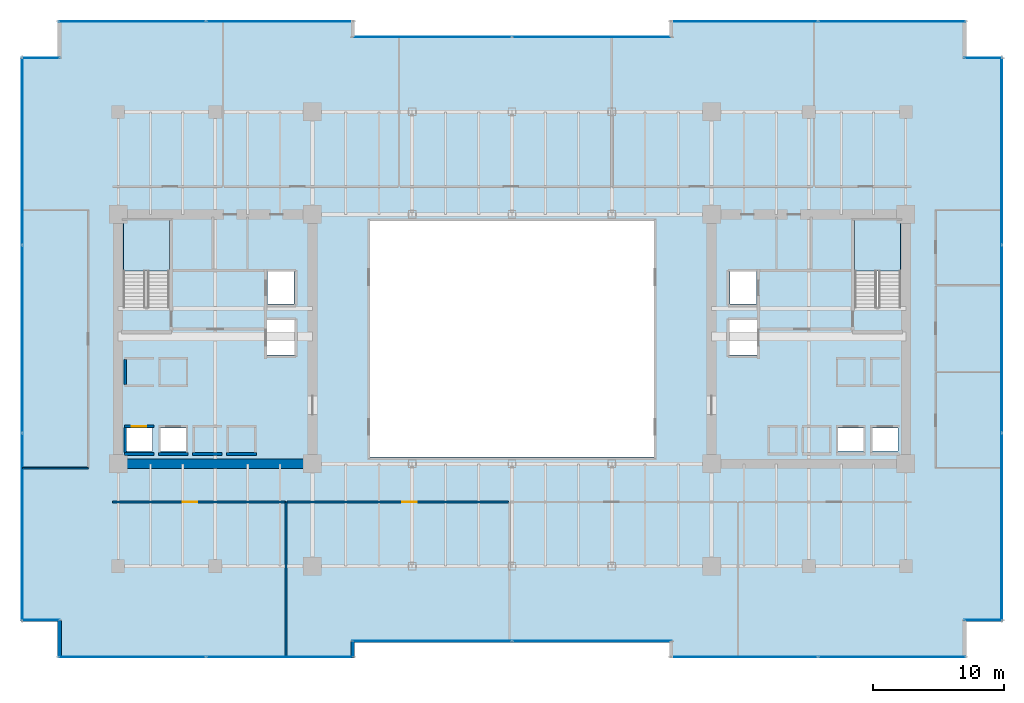
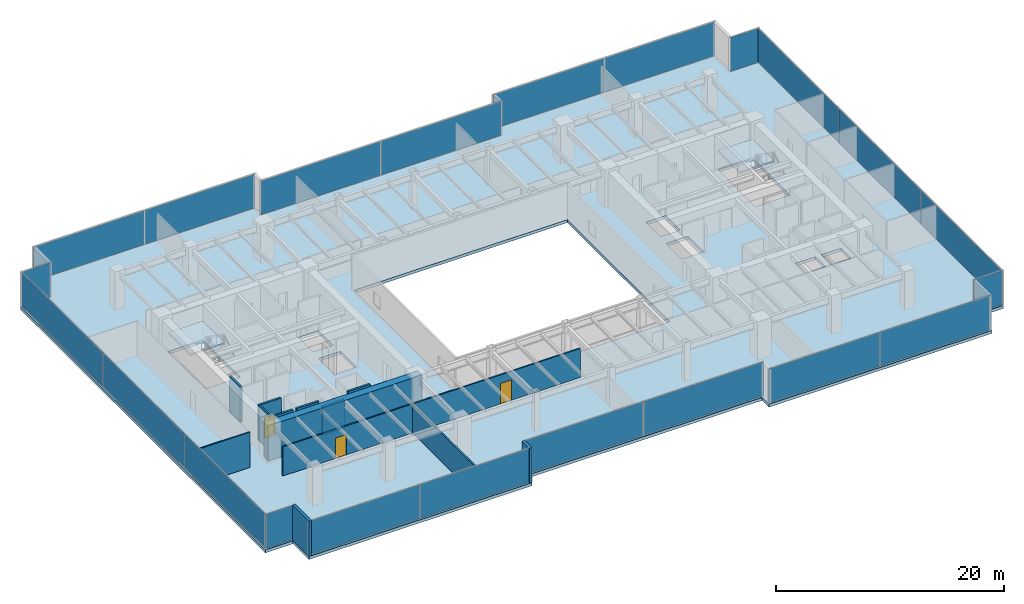
# One storey, part 28 of 35: 22 plates, 14 walls, 3 doors, 3 slabs, 3 openings, 14 elements without a shape of their own.
"""IFC4 building model written with IfcOpenShell, lengths in metres."""

from ifc_helpers import new_model, si_unit, direction, frame, frame_2d, origin, origin_2d, place, context, subcontext, project, spatial, polyline, rectangle, outline, extrude, source, transform, mapped, material, layer, layer_set, type_object, type_shapes, element, fill, aggregate, save


model = new_model("IFC4")

# Units and contexts
model_context = context("Model", 3, precision=1e-05, world=origin(), true_north=direction((0.0, 1.0)))
body_context = subcontext(model_context, "Body", "Model", "MODEL_VIEW")
ifc_project = project(units=[si_unit("LENGTHUNIT", "METRE"), si_unit("AREAUNIT", "SQUARE_METRE"), si_unit("VOLUMEUNIT", "CUBIC_METRE"), si_unit("PLANEANGLEUNIT", "RADIAN"), si_unit("MASSUNIT", "GRAM", prefix="KILO")], contexts=[model_context])

# Site, building, storey
site_placement = place(None, origin())
site = spatial("IfcSite", under=ifc_project, at=site_placement, CompositionType="ELEMENT")
building_placement = place(site_placement, origin())
building = spatial("IfcBuilding", under=site, at=building_placement, Name="Haelvirn Gate Laboratories", CompositionType="ELEMENT")
storey_placement = place(building_placement, frame((0.0, 0.0, 70.300048828125)))
storey = spatial("IfcBuildingStorey", under=building, at=storey_placement, Name="L17", CompositionType="ELEMENT", Elevation=70.300048828125)

# Stair, slab
ifc_material_1 = material(Name="Concrete C40/50", Category="concrete")
stair_type = type_object("IfcStairType", Name="ST-DOG-1650-R22", PredefinedType="HALF_TURN_STAIR", material=ifc_material_1)
stair_1_placement = place(storey_placement, origin())
stair_1 = element("IfcStair", 1, at=stair_1_placement, inside=storey, type_object=stair_type, Name="L17 Escape Stair ST1", PredefinedType="HALF_TURN_STAIR")
ifc_layer_1 = layer(ifc_material_1, 0.199951171875, Name="SL-STAIR-LND")
ifc_layer_set_1 = layer_set([ifc_layer_1], Name="Concrete C40/50")
slab_type_1 = type_object("IfcSlabType", Name="SL-STAIR-LND", PredefinedType="LANDING", material=ifc_layer_set_1)
slab_1_placement = place(storey_placement, frame((0.0, 0.0, 1.849853515625)))
slab_1 = element("IfcSlab", 2, at=slab_1_placement, type_object=slab_type_1, Name="ST1 landing 1", PredefinedType="LANDING", context=body_context, shape_type="SweptSolid", body=[
    extrude(outline(polyline([(11.300048828125, 29.5), (11.300048828125, 33.35009765625), (7.800048828125, 33.35009765625), (7.800048828125, 29.5), (11.300048828125, 29.5)])), origin(), (0.0, 0.0, 1.0), 0.2001953125),
])
aggregate(stair_1, [slab_1])

stair_2_placement = place(storey_placement, origin())
stair_2 = element("IfcStair", 3, at=stair_2_placement, inside=storey, type_object=stair_type, Name="L17 Escape Stair ST2", PredefinedType="HALF_TURN_STAIR")
slab_2_placement = place(storey_placement, frame((0.0, 0.0, 1.849853515625)))
slab_2 = element("IfcSlab", 4, at=slab_2_placement, type_object=slab_type_1, Name="ST2 landing 1", PredefinedType="LANDING", context=body_context, shape_type="SweptSolid", body=[
    extrude(outline(polyline([(67.0, 29.5), (67.0, 33.35009765625), (63.5, 33.35009765625), (63.5, 29.5), (67.0, 29.5)])), origin(), (0.0, 0.0, 1.0), 0.2001953125),
])
aggregate(stair_2, [slab_2])

# Slab
ifc_material_2 = material(Name="Concrete C50/60", Category="concrete")
ifc_layer_2 = layer(ifc_material_2, 0.320068359375, Name="SL-Z1-320")
ifc_layer_set_2 = layer_set([ifc_layer_2], Name="Concrete C50/60")
slab_type_2 = type_object("IfcSlabType", Name="SL-Z1-320", PredefinedType="FLOOR", material=ifc_layer_set_2)
slab_3_placement = place(storey_placement, frame((0.0, 0.0, -0.320068359375)))
element("IfcSlab", 5, at=slab_3_placement, inside=storey, type_object=slab_type_2, Name="L17 Structural Slab MAIN", PredefinedType="FLOOR", context=body_context, shape_type="SweptSolid", body=[
    extrude(outline(polyline([(2.800048828125, 0.0), (25.39990234375, 0.0), (25.39990234375, 1.199951171875), (49.39990234375, 1.199951171875), (49.39990234375, 0.0), (72.0, 0.0), (72.0, 2.800048828125), (74.800048828125, 2.800048828125), (74.800048828125, 45.800048828125), (72.0, 45.800048828125), (72.0, 48.60009765625), (49.39990234375, 48.60009765625), (49.39990234375, 47.39990234375), (25.39990234375, 47.39990234375), (25.39990234375, 48.60009765625), (2.800048828125, 48.60009765625), (2.800048828125, 45.800048828125), (0.0, 45.800048828125), (0.0, 2.800048828125), (2.800048828125, 2.800048828125), (2.800048828125, 0.0)]), holes=[polyline([(26.60009765625, 15.300048828125), (48.199951171875, 15.300048828125), (48.199951171875, 33.300048828125), (26.60009765625, 33.300048828125), (26.60009765625, 15.300048828125)]), polyline([(11.300048828125, 26.780029296875), (11.300048828125, 33.35009765625), (7.800048828125, 33.35009765625), (7.800048828125, 26.780029296875), (11.300048828125, 26.780029296875)]), polyline([(67.0, 26.780029296875), (67.0, 33.35009765625), (63.5, 33.35009765625), (63.5, 26.780029296875), (67.0, 26.780029296875)]), polyline([(7.989990234375, 15.77001953125), (10.010009765625, 15.77001953125), (10.010009765625, 17.510009765625), (7.989990234375, 17.510009765625), (7.989990234375, 15.77001953125)]), polyline([(10.590087890625, 15.77001953125), (12.610107421875, 15.77001953125), (12.610107421875, 17.510009765625), (10.590087890625, 17.510009765625), (10.590087890625, 15.77001953125)]), polyline([(18.7900390625, 26.969970703125), (20.81005859375, 26.969970703125), (20.81005859375, 29.510009765625), (18.7900390625, 29.510009765625), (18.7900390625, 26.969970703125)]), polyline([(18.68994140625, 23.070068359375), (20.909912109375, 23.070068359375), (20.909912109375, 25.81005859375), (18.68994140625, 25.81005859375), (18.68994140625, 23.070068359375)]), polyline([(64.7900390625, 15.77001953125), (66.81005859375, 15.77001953125), (66.81005859375, 17.510009765625), (64.7900390625, 17.510009765625), (64.7900390625, 15.77001953125)]), polyline([(62.18994140625, 15.77001953125), (64.2099609375, 15.77001953125), (64.2099609375, 17.510009765625), (62.18994140625, 17.510009765625), (62.18994140625, 15.77001953125)]), polyline([(53.989990234375, 26.969970703125), (56.010009765625, 26.969970703125), (56.010009765625, 29.510009765625), (53.989990234375, 29.510009765625), (53.989990234375, 26.969970703125)]), polyline([(53.889892578125, 23.070068359375), (56.110107421875, 23.070068359375), (56.110107421875, 25.81005859375), (53.889892578125, 25.81005859375), (53.889892578125, 23.070068359375)])]), origin(), (0.0, 0.0, 1.0), 0.320068359375),
])

# Curtain wall, plates
ifc_material_3 = material(Name="Anodised bronze unitised aluminium & triple low-E glass", Category="aluminium")
ifc_layer_3 = layer(ifc_material_3, 0.18408203125, Name="CW-SYS-2")
ifc_layer_set_3 = layer_set([ifc_layer_3], Name="Anodised bronze unitised aluminium & triple low-E glass")
curtain_wall_type_1 = type_object("IfcCurtainWallType", Name="CW-SYS-2", PredefinedType="NOTDEFINED", material=ifc_layer_set_3)
curtain_wall_1_placement = place(storey_placement, origin())
curtain_wall_1 = element("IfcCurtainWall", 6, at=curtain_wall_1_placement, inside=storey, type_object=curtain_wall_type_1, Name="L17 Unitised Curtain Wall CW-L17-P0-E02-1", PredefinedType="NOTDEFINED")
ifc_material_4 = material(Name="Bronze solar-control triple low-E IGU 44 mm", Category="glass")
ifc_layer_4 = layer(ifc_material_4, 0.0439453125, Name="CWP-IGU-44")
ifc_layer_set_4 = layer_set([ifc_layer_4], Name="Bronze solar-control triple low-E IGU 44 mm")
plate_type_1 = type_object("IfcPlateType", Name="CWP-IGU-44", PredefinedType="CURTAIN_PANEL", material=ifc_layer_set_4)
shared_shape_1 = source(origin(), body_context, "Body", "SweptSolid", [
    extrude(rectangle(XDim=12.12744140625, YDim=0.0439453125, at=origin_2d()), origin(), (0.0, 0.0, 1.0), 3.639892578125),
])
plate_1_placement = place(storey_placement, frame((31.298828125, 1.300048828125, 0.06982421875), z_axis=(0.0, 0.0, 1.0), x_axis=(1.0, 0.0, 0.0)))
plate_1 = element("IfcPlate", 7, at=plate_1_placement, type_object=plate_type_1, Name="CW2 panel 1.1", PredefinedType="CURTAIN_PANEL", context=body_context, shape_type="MappedRepresentation", body=[
    mapped(shared_shape_1, transform((0.0, 0.0, 0.0), scale=1.0)),
])
plate_2_placement = place(storey_placement, frame((43.501220703125, 1.300048828125, 0.06982421875), z_axis=(0.0, 0.0, 1.0), x_axis=(1.0, 0.0, 0.0)))
plate_2 = element("IfcPlate", 8, at=plate_2_placement, type_object=plate_type_1, Name="CW2 panel 2.1", PredefinedType="CURTAIN_PANEL", context=body_context, shape_type="MappedRepresentation", body=[
    mapped(shared_shape_1, transform((0.0, 0.0, 0.0), scale=1.0)),
])
aggregate(curtain_wall_1, [plate_1, plate_2])

curtain_wall_2_placement = place(storey_placement, origin())
curtain_wall_2 = element("IfcCurtainWall", 9, at=curtain_wall_2_placement, inside=storey, type_object=curtain_wall_type_1, Name="L17 Unitised Curtain Wall CW-L17-P0-E12-1", PredefinedType="NOTDEFINED")
plate_3_placement = place(storey_placement, frame((31.298828125, 47.300048828125, 0.06982421875), z_axis=(0.0, 0.0, 1.0), x_axis=(1.0, 0.0, 0.0)))
plate_3 = element("IfcPlate", 10, at=plate_3_placement, type_object=plate_type_1, Name="CW2 panel 1.1", PredefinedType="CURTAIN_PANEL", context=body_context, shape_type="MappedRepresentation", body=[
    mapped(shared_shape_1, transform((0.0, 0.0, 0.0), scale=1.0)),
])
plate_4_placement = place(storey_placement, frame((43.501220703125, 47.300048828125, 0.06982421875), z_axis=(0.0, 0.0, 1.0), x_axis=(1.0, 0.0, 0.0)))
plate_4 = element("IfcPlate", 11, at=plate_4_placement, type_object=plate_type_1, Name="CW2 panel 2.1", PredefinedType="CURTAIN_PANEL", context=body_context, shape_type="MappedRepresentation", body=[
    mapped(shared_shape_1, transform((0.0, 0.0, 0.0), scale=1.0)),
])
aggregate(curtain_wall_2, [plate_3, plate_4])

curtain_wall_3_placement = place(storey_placement, origin())
curtain_wall_3 = element("IfcCurtainWall", 12, at=curtain_wall_3_placement, inside=storey, type_object=curtain_wall_type_1, Name="L17 Unitised Curtain Wall CW-L17-P0-E00-1", PredefinedType="NOTDEFINED")
shared_shape_2 = source(origin(), body_context, "Body", "SweptSolid", [
    extrude(rectangle(XDim=11.1875, YDim=0.0439453125, at=origin_2d()), origin(), (0.0, 0.0, 1.0), 3.639892578125),
])
plate_5_placement = place(storey_placement, frame((8.46875, 0.10009765625, 0.06982421875), z_axis=(0.0, 0.0, 1.0), x_axis=(1.0, 0.0, 0.0)))
plate_5 = element("IfcPlate", 13, at=plate_5_placement, type_object=plate_type_1, Name="CW2 panel 1.1", PredefinedType="CURTAIN_PANEL", context=body_context, shape_type="MappedRepresentation", body=[
    mapped(shared_shape_2, transform((0.0, 0.0, 0.0), scale=1.0)),
])
plate_6_placement = place(storey_placement, frame((19.731201171875, 0.10009765625, 0.06982421875), z_axis=(0.0, 0.0, 1.0), x_axis=(1.0, 0.0, 0.0)))
plate_6 = element("IfcPlate", 14, at=plate_6_placement, type_object=plate_type_1, Name="CW2 panel 2.1", PredefinedType="CURTAIN_PANEL", context=body_context, shape_type="MappedRepresentation", body=[
    mapped(shared_shape_2, transform((0.0, 0.0, 0.0), scale=1.0)),
])
aggregate(curtain_wall_3, [plate_5, plate_6])

curtain_wall_4_placement = place(storey_placement, origin())
curtain_wall_4 = element("IfcCurtainWall", 15, at=curtain_wall_4_placement, inside=storey, type_object=curtain_wall_type_1, Name="L17 Unitised Curtain Wall CW-L17-P0-E04-1", PredefinedType="NOTDEFINED")
plate_7_placement = place(storey_placement, frame((55.06884765625, 0.10009765625, 0.06982421875), z_axis=(0.0, 0.0, 1.0), x_axis=(1.0, 0.0, 0.0)))
plate_7 = element("IfcPlate", 16, at=plate_7_placement, type_object=plate_type_1, Name="CW2 panel 1.1", PredefinedType="CURTAIN_PANEL", context=body_context, shape_type="MappedRepresentation", body=[
    mapped(shared_shape_2, transform((0.0, 0.0, 0.0), scale=1.0)),
])
plate_8_placement = place(storey_placement, frame((66.331298828125, 0.10009765625, 0.06982421875), z_axis=(0.0, 0.0, 1.0), x_axis=(1.0, 0.0, 0.0)))
plate_8 = element("IfcPlate", 17, at=plate_8_placement, type_object=plate_type_1, Name="CW2 panel 2.1", PredefinedType="CURTAIN_PANEL", context=body_context, shape_type="MappedRepresentation", body=[
    mapped(shared_shape_2, transform((0.0, 0.0, 0.0), scale=1.0)),
])
aggregate(curtain_wall_4, [plate_7, plate_8])

curtain_wall_5_placement = place(storey_placement, origin())
curtain_wall_5 = element("IfcCurtainWall", 18, at=curtain_wall_5_placement, inside=storey, type_object=curtain_wall_type_1, Name="L17 Unitised Curtain Wall CW-L17-P0-E10-1", PredefinedType="NOTDEFINED")
plate_9_placement = place(storey_placement, frame((55.06884765625, 48.5, 0.06982421875), z_axis=(0.0, 0.0, 1.0), x_axis=(1.0, 0.0, 0.0)))
plate_9 = element("IfcPlate", 19, at=plate_9_placement, type_object=plate_type_1, Name="CW2 panel 1.1", PredefinedType="CURTAIN_PANEL", context=body_context, shape_type="MappedRepresentation", body=[
    mapped(shared_shape_2, transform((0.0, 0.0, 0.0), scale=1.0)),
])
plate_10_placement = place(storey_placement, frame((66.331298828125, 48.5, 0.06982421875), z_axis=(0.0, 0.0, 1.0), x_axis=(1.0, 0.0, 0.0)))
plate_10 = element("IfcPlate", 20, at=plate_10_placement, type_object=plate_type_1, Name="CW2 panel 2.1", PredefinedType="CURTAIN_PANEL", context=body_context, shape_type="MappedRepresentation", body=[
    mapped(shared_shape_2, transform((0.0, 0.0, 0.0), scale=1.0)),
])
aggregate(curtain_wall_5, [plate_9, plate_10])

curtain_wall_6_placement = place(storey_placement, origin())
curtain_wall_6 = element("IfcCurtainWall", 21, at=curtain_wall_6_placement, inside=storey, type_object=curtain_wall_type_1, Name="L17 Unitised Curtain Wall CW-L17-P0-E14-1", PredefinedType="NOTDEFINED")
plate_11_placement = place(storey_placement, frame((8.46875, 48.5, 0.06982421875), z_axis=(0.0, 0.0, 1.0), x_axis=(1.0, 0.0, 0.0)))
plate_11 = element("IfcPlate", 22, at=plate_11_placement, type_object=plate_type_1, Name="CW2 panel 1.1", PredefinedType="CURTAIN_PANEL", context=body_context, shape_type="MappedRepresentation", body=[
    mapped(shared_shape_2, transform((0.0, 0.0, 0.0), scale=1.0)),
])
plate_12_placement = place(storey_placement, frame((19.731201171875, 48.5, 0.06982421875), z_axis=(0.0, 0.0, 1.0), x_axis=(1.0, 0.0, 0.0)))
plate_12 = element("IfcPlate", 23, at=plate_12_placement, type_object=plate_type_1, Name="CW2 panel 2.1", PredefinedType="CURTAIN_PANEL", context=body_context, shape_type="MappedRepresentation", body=[
    mapped(shared_shape_2, transform((0.0, 0.0, 0.0), scale=1.0)),
])
aggregate(curtain_wall_6, [plate_11, plate_12])

# Curtain wall, plate
ifc_layer_5 = layer(ifc_material_3, 0.181884765625, Name="CW-SYS-5")
ifc_layer_set_5 = layer_set([ifc_layer_5], Name="Anodised bronze unitised aluminium & triple low-E glass")
curtain_wall_type_2 = type_object("IfcCurtainWallType", Name="CW-SYS-5", PredefinedType="NOTDEFINED", material=ifc_layer_set_5)
curtain_wall_7_placement = place(storey_placement, origin())
curtain_wall_7 = element("IfcCurtainWall", 24, at=curtain_wall_7_placement, inside=storey, type_object=curtain_wall_type_2, Name="L17 Unitised Curtain Wall CW-L17-P0-E06-1", PredefinedType="NOTDEFINED")
ifc_material_5 = material(Name="Clear low-iron notched-corner triple IGU 42 mm", Category="glass")
ifc_layer_6 = layer(ifc_material_5, 0.0419921875, Name="CWP-NTC-42")
ifc_layer_set_6 = layer_set([ifc_layer_6], Name="Clear low-iron notched-corner triple IGU 42 mm")
plate_type_2 = type_object("IfcPlateType", Name="CWP-NTC-42", PredefinedType="CURTAIN_PANEL", material=ifc_layer_set_6)
shared_shape_3 = source(origin(), body_context, "Body", "SweptSolid", [
    extrude(rectangle(XDim=2.8798828125, YDim=0.0419921875, at=origin_2d()), origin(), (0.0, 0.0, 1.0), 3.64990234375),
])
type_shapes(plate_type_2, [shared_shape_3])
plate_13_placement = place(storey_placement, frame((73.280029296875, 2.89990234375, 0.06494140625), z_axis=(0.0, 0.0, 1.0), x_axis=(1.0, 0.0, 0.0)))
plate_13 = element("IfcPlate", 25, at=plate_13_placement, type_object=plate_type_2, Name="CW5 panel 1.1", PredefinedType="CURTAIN_PANEL", context=body_context, shape_type="MappedRepresentation", body=[
    mapped(shared_shape_3, transform((0.0, 0.0, 0.0), scale=1.0)),
])
aggregate(curtain_wall_7, [plate_13])

curtain_wall_8_placement = place(storey_placement, origin())
curtain_wall_8 = element("IfcCurtainWall", 26, at=curtain_wall_8_placement, inside=storey, type_object=curtain_wall_type_2, Name="L17 Unitised Curtain Wall CW-L17-P0-E08-1", PredefinedType="NOTDEFINED")
plate_14_placement = place(storey_placement, frame((73.280029296875, 45.699951171875, 0.06494140625), z_axis=(0.0, 0.0, 1.0), x_axis=(1.0, 0.0, 0.0)))
plate_14 = element("IfcPlate", 27, at=plate_14_placement, type_object=plate_type_2, Name="CW5 panel 1.1", PredefinedType="CURTAIN_PANEL", context=body_context, shape_type="MappedRepresentation", body=[
    mapped(shared_shape_3, transform((0.0, 0.0, 0.0), scale=1.0)),
])
aggregate(curtain_wall_8, [plate_14])

curtain_wall_9_placement = place(storey_placement, origin())
curtain_wall_9 = element("IfcCurtainWall", 28, at=curtain_wall_9_placement, inside=storey, type_object=curtain_wall_type_2, Name="L17 Unitised Curtain Wall CW-L17-P0-E16-1", PredefinedType="NOTDEFINED")
plate_15_placement = place(storey_placement, frame((1.52001953125, 45.699951171875, 0.06494140625), z_axis=(0.0, 0.0, 1.0), x_axis=(1.0, 0.0, 0.0)))
plate_15 = element("IfcPlate", 29, at=plate_15_placement, type_object=plate_type_2, Name="CW5 panel 1.1", PredefinedType="CURTAIN_PANEL", context=body_context, shape_type="MappedRepresentation", body=[
    mapped(shared_shape_3, transform((0.0, 0.0, 0.0), scale=1.0)),
])
aggregate(curtain_wall_9, [plate_15])

curtain_wall_10_placement = place(storey_placement, origin())
curtain_wall_10 = element("IfcCurtainWall", 30, at=curtain_wall_10_placement, inside=storey, type_object=curtain_wall_type_2, Name="L17 Unitised Curtain Wall CW-L17-P0-E18-1", PredefinedType="NOTDEFINED")
plate_16_placement = place(storey_placement, frame((1.52001953125, 2.89990234375, 0.06494140625), z_axis=(0.0, 0.0, 1.0), x_axis=(1.0, 0.0, 0.0)))
plate_16 = element("IfcPlate", 31, at=plate_16_placement, type_object=plate_type_2, Name="CW5 panel 1.1", PredefinedType="CURTAIN_PANEL", context=body_context, shape_type="MappedRepresentation", body=[
    mapped(shared_shape_3, transform((0.0, 0.0, 0.0), scale=1.0)),
])
aggregate(curtain_wall_10, [plate_16])

# Curtain wall, plates
curtain_wall_11_placement = place(storey_placement, origin())
curtain_wall_11 = element("IfcCurtainWall", 32, at=curtain_wall_11_placement, inside=storey, type_object=curtain_wall_type_1, Name="L17 Unitised Curtain Wall CW-L17-P0-E07", PredefinedType="NOTDEFINED")
shared_shape_4 = source(origin(), body_context, "Body", "SweptSolid", [
    extrude(rectangle(XDim=14.220947265625, YDim=0.0439453125, at=origin_2d()), origin(), (0.0, 0.0, 1.0), 3.639892578125),
])
plate_17_placement = place(storey_placement, frame((74.699951171875, 9.9853515625, 0.06982421875), z_axis=(0.0, 0.0, 1.0), x_axis=(0.0, 1.0, 0.0)))
plate_17 = element("IfcPlate", 33, at=plate_17_placement, type_object=plate_type_1, Name="CW2 panel 1.1", PredefinedType="CURTAIN_PANEL", context=body_context, shape_type="MappedRepresentation", body=[
    mapped(shared_shape_4, transform((0.0, 0.0, 0.0), scale=1.0)),
])
plate_18_placement = place(storey_placement, frame((74.699951171875, 38.614501953125, 0.06982421875), z_axis=(0.0, 0.0, 1.0), x_axis=(0.0, 1.0, 0.0)))
plate_18 = element("IfcPlate", 34, at=plate_18_placement, type_object=plate_type_1, Name="CW2 panel 3.1", PredefinedType="CURTAIN_PANEL", context=body_context, shape_type="MappedRepresentation", body=[
    mapped(shared_shape_4, transform((0.0, 0.0, 0.0), scale=1.0)),
])

curtain_wall_12_placement = place(storey_placement, origin())
curtain_wall_12 = element("IfcCurtainWall", 35, at=curtain_wall_12_placement, inside=storey, type_object=curtain_wall_type_1, Name="L17 Unitised Curtain Wall CW-L17-P0-E17", PredefinedType="NOTDEFINED")
plate_19_placement = place(storey_placement, frame((0.10009765625, 38.614501953125, 0.06982421875), z_axis=(0.0, 0.0, 1.0), x_axis=(0.0, -1.0, 0.0)))
plate_19 = element("IfcPlate", 36, at=plate_19_placement, type_object=plate_type_1, Name="CW2 panel 1.1", PredefinedType="CURTAIN_PANEL", context=body_context, shape_type="MappedRepresentation", body=[
    mapped(shared_shape_4, transform((0.0, 0.0, 0.0), scale=1.0)),
])
plate_20_placement = place(storey_placement, frame((0.10009765625, 9.9853515625, 0.06982421875), z_axis=(0.0, 0.0, 1.0), x_axis=(0.0, -1.0, 0.0)))
plate_20 = element("IfcPlate", 37, at=plate_20_placement, type_object=plate_type_1, Name="CW2 panel 3.1", PredefinedType="CURTAIN_PANEL", context=body_context, shape_type="MappedRepresentation", body=[
    mapped(shared_shape_4, transform((0.0, 0.0, 0.0), scale=1.0)),
])

# Plate
shared_shape_5 = source(origin(), body_context, "Body", "SweptSolid", [
    extrude(rectangle(XDim=14.25830078125, YDim=0.0439453125, at=origin_2d()), origin(), (0.0, 0.0, 1.0), 3.639892578125),
])
type_shapes(plate_type_1, [shared_shape_1, shared_shape_2, shared_shape_4, shared_shape_5])
plate_21_placement = place(storey_placement, frame((74.699951171875, 24.300048828125, 0.06982421875), z_axis=(0.0, 0.0, 1.0), x_axis=(0.0, 1.0, 0.0)))
plate_21 = element("IfcPlate", 38, at=plate_21_placement, type_object=plate_type_1, Name="CW2 panel 2.1", PredefinedType="CURTAIN_PANEL", context=body_context, shape_type="MappedRepresentation", body=[
    mapped(shared_shape_5, transform((0.0, 0.0, 0.0), scale=1.0)),
])

aggregate(curtain_wall_11, [plate_17, plate_21, plate_18])

plate_22_placement = place(storey_placement, frame((0.10009765625, 24.300048828125, 0.06982421875), z_axis=(0.0, 0.0, 1.0), x_axis=(0.0, -1.0, 0.0)))
plate_22 = element("IfcPlate", 39, at=plate_22_placement, type_object=plate_type_1, Name="CW2 panel 2.1", PredefinedType="CURTAIN_PANEL", context=body_context, shape_type="MappedRepresentation", body=[
    mapped(shared_shape_5, transform((0.0, 0.0, 0.0), scale=1.0)),
])

aggregate(curtain_wall_12, [plate_19, plate_22, plate_20])

# Walls
ifc_material_6 = material(Name="Thermally-broken bronze aluminium rainscreen & mineral wool", Category="aluminium")
ifc_layer_7 = layer(ifc_material_6, 0.280029296875, Name="EW-TERR-280")
ifc_layer_set_7 = layer_set([ifc_layer_7], Name="Thermally-broken bronze aluminium rainscreen & mineral wool")
wall_type_1 = type_object("IfcWallType", Name="EW-TERR-280", PredefinedType="STANDARD", material=ifc_layer_set_7)
wall_1_placement = place(storey_placement, frame((25.260009765625, 0.0, 0.0), z_axis=(0.0, 0.0, 1.0), x_axis=(0.0, 1.0, 0.0)))
element("IfcWall", 40, at=wall_1_placement, inside=storey, type_object=wall_type_1, Name="L17 Atrium Recess Bronze Return Wall 01", PredefinedType="STANDARD", context=body_context, shape_type="SweptSolid", body=[
    extrude(rectangle(XDim=1.2880859375, YDim=0.280029296875, at=frame_2d((0.64404296875, 0.0))), origin(), (0.0, 0.0, 1.0), 3.780029296875),
])
wall_2_placement = place(storey_placement, frame((2.93994140625, 2.887939453125, 0.0), z_axis=(0.0, 0.0, 1.0), x_axis=(0.0, -1.0, 0.0)))
element("IfcWall", 41, at=wall_2_placement, inside=storey, type_object=wall_type_1, Name="L17 Atrium Recess Bronze Return Wall 19", PredefinedType="STANDARD", context=body_context, shape_type="SweptSolid", body=[
    extrude(rectangle(XDim=2.887939453125, YDim=0.280029296875, at=frame_2d((1.44384765625, 0.0))), origin(), (0.0, 0.0, 1.0), 3.780029296875),
])
ifc_material_7 = material(Name="Double-layer acoustic gypsum laboratory partition", Category="gypsum")
ifc_layer_8 = layer(ifc_material_7, 0.159912109375, Name="IW-ACOUST-160")
ifc_layer_set_8 = layer_set([ifc_layer_8], Name="Double-layer acoustic gypsum laboratory partition")
wall_type_2 = type_object("IfcWallType", Name="IW-ACOUST-160", PredefinedType="PARTITIONING", material=ifc_layer_set_8)
wall_3_placement = place(storey_placement, frame((20.199951171875, 0.110107421875, 0.0), z_axis=(0.0, 0.0, 1.0), x_axis=(0.0, 1.0, 0.0)))
element("IfcWall", 42, at=wall_3_placement, inside=storey, type_object=wall_type_2, Name="L17 Interior Wall IW-L17-SDIV-01", PredefinedType="PARTITIONING", context=body_context, shape_type="SweptSolid", body=[
    extrude(rectangle(XDim=11.77978515625, YDim=0.159912109375, at=frame_2d((5.889892578125, 0.0))), origin(), (0.0, 0.0, 1.0), 3.014892578125),
])
ifc_material_8 = material(Name="Lightweight acoustic gypsum board partition", Category="gypsum")
ifc_layer_9 = layer(ifc_material_8, 0.1201171875, Name="IW-PART-120")
ifc_layer_set_9 = layer_set([ifc_layer_9], Name="Lightweight acoustic gypsum board partition")
wall_type_3 = type_object("IfcWallType", Name="IW-PART-120", PredefinedType="PARTITIONING", material=ifc_layer_set_9)
wall_4_placement = place(storey_placement, frame((0.110107421875, 14.465087890625, 0.0), z_axis=(0.0, 0.0, 1.0), x_axis=(1.0, 0.0, 0.0)))
element("IfcWall", 43, at=wall_4_placement, inside=storey, type_object=wall_type_3, Name="L17 Interior Wall IW-L17-WCAP-S", PredefinedType="PARTITIONING", context=body_context, shape_type="SweptSolid", body=[
    extrude(rectangle(XDim=5.019775390625, YDim=0.1201171875, at=frame_2d((2.509765625, 0.0))), origin(), (0.0, 0.0, 1.0), 3.780029296875),
])

# Wall, opening, door
ifc_material_9 = material(Name="Acoustic mineral-wool gypsum board partition", Category="gypsum")
ifc_layer_10 = layer(ifc_material_9, 0.139892578125, Name="IW-PART-140")
ifc_layer_set_10 = layer_set([ifc_layer_10], Name="Acoustic mineral-wool gypsum board partition")
wall_type_4 = type_object("IfcWallType", Name="IW-PART-140", PredefinedType="PARTITIONING", material=ifc_layer_set_10)
wall_5_placement = place(storey_placement, frame((6.97998046875, 11.889892578125, 0.0), z_axis=(0.0, 0.0, 1.0), x_axis=(1.0, 0.0, 0.0)))
wall_5 = element("IfcWall", 44, at=wall_5_placement, inside=storey, type_object=wall_type_4, Name="L17 Interior Wall IW-L17-SCORR-01", PredefinedType="PARTITIONING", context=body_context, shape_type="SweptSolid", body=[
    extrude(rectangle(XDim=13.14013671875, YDim=0.139892578125, at=frame_2d((6.570068359375, 0.0))), origin(), (0.0, 0.0, 1.0), 3.114990234375),
])
opening_1_placement = place(wall_5_placement, frame((5.339599609375, 0.0, 0.0)))
opening_1 = element("IfcOpeningElement", 45, at=opening_1_placement, cuts=wall_5, Name="Opening D1", PredefinedType="OPENING", context=body_context, shape_type="SweptSolid", body=[
    extrude(rectangle(XDim=1.10009765625, YDim=2.179931640625, at=frame_2d((0.550048828125, 1.08984375))), frame((0.0, 0.080078125, 0.0), z_axis=(0.0, -1.0, 0.0), x_axis=(1.0, 0.0, 0.0)), (0.0, 0.0, 1.0), 0.159912109375),
])
ifc_material_10 = material(Name="Vision-panel acoustic solid-core timber lab door", Category="wood")
door_type_1 = type_object("IfcDoorType", Name="DR-LAB-1100", OperationType="NOTDEFINED", PredefinedType="DOOR", material=ifc_material_10)
shared_shape_6 = source(origin(), body_context, "Body", "SweptSolid", [
    extrude(rectangle(XDim=1.10009765625, YDim=2.179931640625, at=frame_2d((0.550048828125, 1.08984375))), frame((0.0, 0.02490234375, 0.0), z_axis=(0.0, -1.0, 0.0), x_axis=(1.0, 0.0, 0.0)), (0.0, 0.0, 1.0), 0.050048828125),
])
type_shapes(door_type_1, [shared_shape_6])
door_1_placement = place(opening_1_placement, origin())
door_1 = element("IfcDoor", 46, at=door_1_placement, inside=storey, type_object=door_type_1, Name="L17 Translational Data Office Door S1", OperationType="SINGLE_SWING_RIGHT", OverallHeight=2.179931640625, OverallWidth=1.10009765625, PredefinedType="DOOR", context=body_context, shape_type="MappedRepresentation", body=[
    mapped(shared_shape_6, transform((0.0, 0.0, 0.0), scale=1.0)),
])
fill(opening_1, door_1)

wall_6_placement = place(storey_placement, frame((20.280029296875, 11.889892578125, 0.0), z_axis=(0.0, 0.0, 1.0), x_axis=(1.0, 0.0, 0.0)))
wall_6 = element("IfcWall", 47, at=wall_6_placement, inside=storey, type_object=wall_type_4, Name="L17 Interior Wall IW-L17-SCORR-02", PredefinedType="PARTITIONING", context=body_context, shape_type="SweptSolid", body=[
    extrude(rectangle(XDim=16.840087890625, YDim=0.139892578125, at=frame_2d((8.419921875, 0.0))), origin(), (0.0, 0.0, 1.0), 3.114990234375),
])
opening_2_placement = place(wall_6_placement, frame((8.7724609375, 0.0, 0.0)))
opening_2 = element("IfcOpeningElement", 48, at=opening_2_placement, cuts=wall_6, Name="Opening D1", PredefinedType="OPENING", context=body_context, shape_type="SweptSolid", body=[
    extrude(rectangle(XDim=1.10009765625, YDim=2.179931640625, at=frame_2d((0.550048828125, 1.08984375))), frame((0.0, 0.080078125, 0.0), z_axis=(0.0, -1.0, 0.0), x_axis=(1.0, 0.0, 0.0)), (0.0, 0.0, 1.0), 0.159912109375),
])
door_2_placement = place(opening_2_placement, origin())
door_2 = element("IfcDoor", 49, at=door_2_placement, inside=storey, type_object=door_type_1, Name="L17 Computational Write-Up Office Door S2", OperationType="SINGLE_SWING_LEFT", OverallHeight=2.179931640625, OverallWidth=1.10009765625, PredefinedType="DOOR", context=body_context, shape_type="MappedRepresentation", body=[
    mapped(shared_shape_6, transform((0.0, 0.0, 0.0), scale=1.0)),
])
fill(opening_2, door_2)

# Walls
ifc_layer_11 = layer(ifc_material_1, 0.179931640625, Name="IW-SHAFT-180")
ifc_layer_set_11 = layer_set([ifc_layer_11], Name="Concrete C40/50")
wall_type_5 = type_object("IfcWallType", Name="IW-SHAFT-180", PredefinedType="SOLIDWALL", material=ifc_layer_set_11)
wall_7_placement = place(storey_placement, frame((7.949951171875, 15.64990234375, 0.0), z_axis=(0.0, 0.0, 1.0), x_axis=(0.0, 1.0, 0.0)))
element("IfcWall", 50, at=wall_7_placement, inside=storey, type_object=wall_type_5, Name="L17 Interior Wall IW-L17-PL1-SD", PredefinedType="SOLIDWALL", context=body_context, shape_type="SweptSolid", body=[
    extrude(rectangle(XDim=1.900146484375, YDim=0.179931640625, at=frame_2d((0.9501953125, 0.0))), origin(), (0.0, 0.0, 1.0), 3.780029296875),
])
wall_8_placement = place(storey_placement, frame((7.949951171875, 20.85009765625, 0.0), z_axis=(0.0, 0.0, 1.0), x_axis=(0.0, 1.0, 0.0)))
element("IfcWall", 51, at=wall_8_placement, inside=storey, type_object=wall_type_5, Name="L17 Interior Wall IW-L17-PL9-SD", PredefinedType="SOLIDWALL", context=body_context, shape_type="SweptSolid", body=[
    extrude(rectangle(XDim=1.89990234375, YDim=0.179931640625, at=frame_2d((0.949951171875, 0.0))), origin(), (0.0, 0.0, 1.0), 3.780029296875),
])

# Wall, opening, door
ifc_layer_12 = layer(ifc_material_1, 0.199951171875, Name="IW-SHAFT-200")
ifc_layer_set_12 = layer_set([ifc_layer_12], Name="Concrete C40/50")
wall_type_6 = type_object("IfcWallType", Name="IW-SHAFT-200", PredefinedType="SOLIDWALL", material=ifc_layer_set_12)
wall_9_placement = place(storey_placement, frame((7.8701171875, 17.64990234375, 0.0), z_axis=(0.0, 0.0, 1.0), x_axis=(1.0, 0.0, 0.0)))
wall_9 = element("IfcWall", 52, at=wall_9_placement, inside=storey, type_object=wall_type_6, Name="L17 Interior Wall IW-L17-PL1-FR", PredefinedType="SOLIDWALL", context=body_context, shape_type="SweptSolid", body=[
    extrude(rectangle(XDim=2.259765625, YDim=0.199951171875, at=frame_2d((1.1298828125, 0.0))), origin(), (0.0, 0.0, 1.0), 3.780029296875),
])
opening_3_placement = place(wall_9_placement, frame((0.580078125, 0.0, 0.0)))
opening_3 = element("IfcOpeningElement", 53, at=opening_3_placement, cuts=wall_9, Name="Opening LD2", PredefinedType="OPENING", context=body_context, shape_type="SweptSolid", body=[
    extrude(rectangle(XDim=1.10009765625, YDim=2.219970703125, at=frame_2d((0.550048828125, 1.10986328125))), frame((0.0, 0.10986328125, 0.0), z_axis=(0.0, -1.0, 0.0), x_axis=(1.0, 0.0, 0.0)), (0.0, 0.0, 1.0), 0.219970703125),
])
ifc_material_11 = material(Name="Bronze stainless 316L sliding lift landing door")
door_type_2 = type_object("IfcDoorType", Name="DR-LD-1100", OperationType="NOTDEFINED", PredefinedType="USERDEFINED", material=ifc_material_11)
shared_shape_7 = source(origin(), body_context, "Body", "SweptSolid", [
    extrude(rectangle(XDim=1.10009765625, YDim=2.219970703125, at=frame_2d((0.550048828125, 1.10986328125))), frame((0.0, 0.02490234375, 0.0), z_axis=(0.0, -1.0, 0.0), x_axis=(1.0, 0.0, 0.0)), (0.0, 0.0, 1.0), 0.050048828125),
])
type_shapes(door_type_2, [shared_shape_7])
door_3_placement = place(opening_3_placement, origin())
door_3 = element("IfcDoor", 54, at=door_3_placement, inside=storey, type_object=door_type_2, Name="L17 Passenger Lift PL1 Landing Door", ObjectType="LANDING_DOOR", OperationType="SLIDING_TO_LEFT", OverallHeight=2.219970703125, OverallWidth=1.10009765625, PredefinedType="USERDEFINED", context=body_context, shape_type="MappedRepresentation", body=[
    mapped(shared_shape_7, transform((0.0, 0.0, 0.0), scale=1.0)),
])
fill(opening_3, door_3)

# Walls
wall_10_placement = place(storey_placement, frame((7.8701171875, 15.550048828125, 0.0), z_axis=(0.0, 0.0, 1.0), x_axis=(1.0, 0.0, 0.0)))
element("IfcWall", 55, at=wall_10_placement, inside=storey, type_object=wall_type_6, Name="L17 Interior Wall IW-L17-PL1-BK", PredefinedType="SOLIDWALL", context=body_context, shape_type="SweptSolid", body=[
    extrude(rectangle(XDim=2.259765625, YDim=0.199951171875, at=frame_2d((1.1298828125, 0.0))), origin(), (0.0, 0.0, 1.0), 3.780029296875),
])
wall_11_placement = place(storey_placement, frame((10.469970703125, 15.550048828125, 0.0), z_axis=(0.0, 0.0, 1.0), x_axis=(1.0, 0.0, 0.0)))
element("IfcWall", 56, at=wall_11_placement, inside=storey, type_object=wall_type_6, Name="L17 Interior Wall IW-L17-PL2-BK", PredefinedType="SOLIDWALL", context=body_context, shape_type="SweptSolid", body=[
    extrude(rectangle(XDim=2.260009765625, YDim=0.199951171875, at=frame_2d((1.1298828125, 0.0))), origin(), (0.0, 0.0, 1.0), 3.780029296875),
])
wall_12_placement = place(storey_placement, frame((13.070068359375, 15.550048828125, 0.0), z_axis=(0.0, 0.0, 1.0), x_axis=(1.0, 0.0, 0.0)))
element("IfcWall", 57, at=wall_12_placement, inside=storey, type_object=wall_type_6, Name="L17 Interior Wall IW-L17-PL5-BK", PredefinedType="SOLIDWALL", context=body_context, shape_type="SweptSolid", body=[
    extrude(rectangle(XDim=2.260009765625, YDim=0.199951171875, at=frame_2d((1.1298828125, 0.0))), origin(), (0.0, 0.0, 1.0), 3.114990234375),
])
wall_13_placement = place(storey_placement, frame((15.669921875, 15.550048828125, 0.0), z_axis=(0.0, 0.0, 1.0), x_axis=(1.0, 0.0, 0.0)))
element("IfcWall", 58, at=wall_13_placement, inside=storey, type_object=wall_type_6, Name="L17 Interior Wall IW-L17-PL6-BK", PredefinedType="SOLIDWALL", context=body_context, shape_type="SweptSolid", body=[
    extrude(rectangle(XDim=2.260009765625, YDim=0.199951171875, at=frame_2d((1.1298828125, 0.0))), origin(), (0.0, 0.0, 1.0), 3.780029296875),
])
ifc_material_12 = material(Name="Concrete C70/85", Category="concrete")
ifc_layer_13 = layer(ifc_material_12, 0.75, Name="SW-CORE-750")
ifc_layer_set_13 = layer_set([ifc_layer_13], Name="Concrete C70/85")
wall_type_7 = type_object("IfcWallType", Name="SW-CORE-750", PredefinedType="SHEAR", material=ifc_layer_set_13)
wall_14_placement = place(storey_placement, frame((7.02490234375, 14.800048828125, 0.0), z_axis=(0.0, 0.0, 1.0), x_axis=(1.0, 0.0, 0.0)))
element("IfcWall", 59, at=wall_14_placement, inside=storey, type_object=wall_type_7, Name="L17 W Core Shear Wall S", PredefinedType="SHEAR", context=body_context, shape_type="SweptSolid", body=[
    extrude(rectangle(XDim=15.550048828125, YDim=0.75, at=frame_2d((7.77490234375, 0.0))), origin(), (0.0, 0.0, 1.0), 3.780029296875),
])

save(model, "model.ifc")
